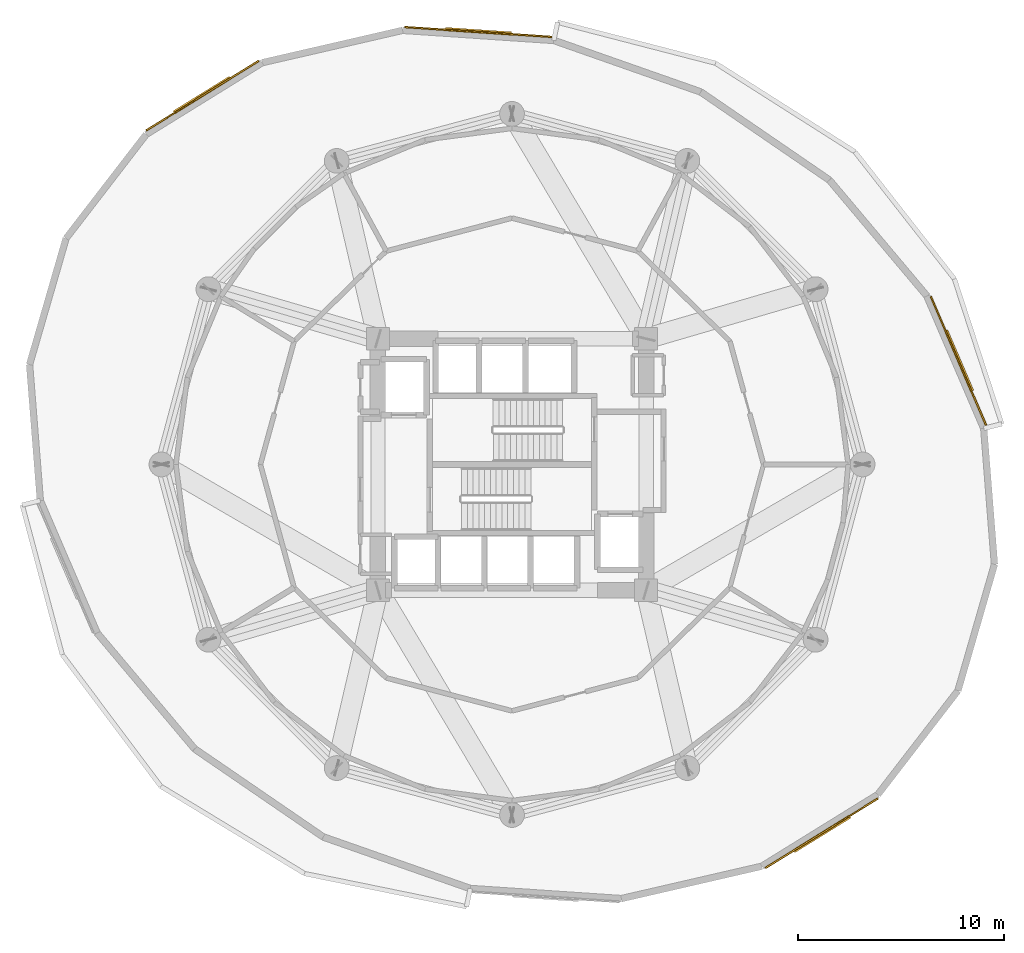
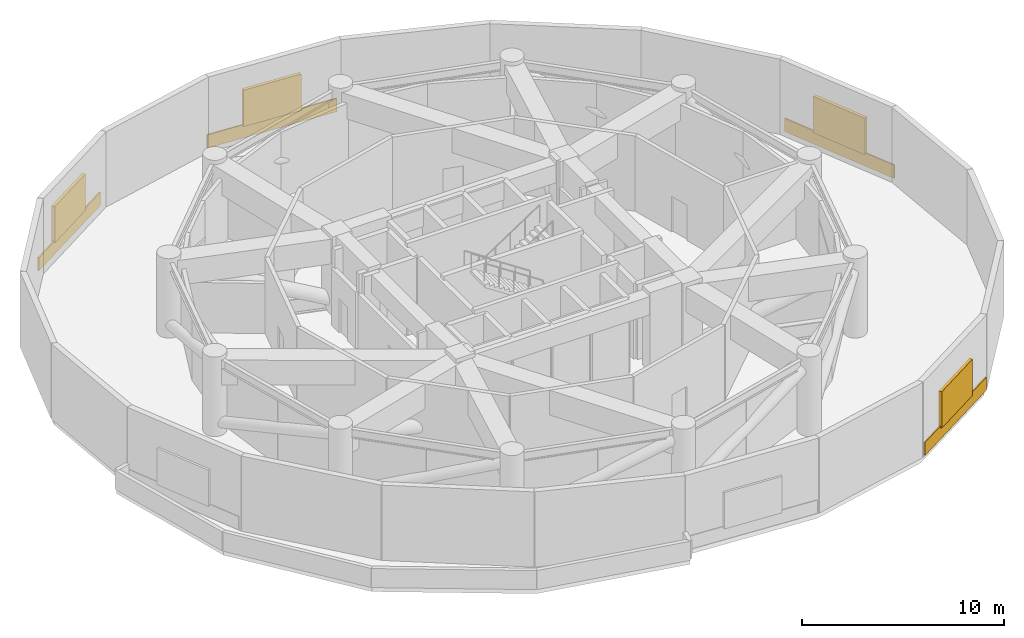
# One storey, part 6 of 6: 4 coverings, 4 shading devices.
"""IFC4 building model written with IfcOpenShell, lengths in metres."""

import ifcopenshell
import ifcopenshell.guid

model = None  # the IFC model being written
_history = None  # IfcOwnerHistory: only IFC2X3 demands one
_inside = {}  # id of a spatial element -> (the spatial element, [elements in it])
_under = {}  # id of a project, library or spatial element -> (it, [spatial elements below it])
_declared = {}  # id of a project -> (the project, [libraries it declares])
_typed = {}  # id of a type object -> (the type object, [elements of that type])
_made_of = {}  # id of a material, layer set ... -> (it, [elements and type objects made of it])


def new_model(schema):
    """Start an empty IFC model of exactly this schema.

    Asked for "IFC4X3", IfcOpenShell would pick the latest addendum, in which some entities
    have other attributes; the version numbers below select the first issue.
    IFC2X3 requires an IfcOwnerHistory on every rooted entity: one is made here for all.
    """
    global model, _history
    if schema == "IFC4X3":
        model = ifcopenshell.file(schema_version=(4, 3, 0, 0))
    else:
        model = ifcopenshell.file(schema=schema)
    _inside.clear()
    _under.clear()
    _declared.clear()
    _typed.clear()
    _made_of.clear()
    _history = None
    if model.schema == "IFC2X3":
        org = make("IfcOrganization", Name="unknown")
        user = make(
            "IfcPersonAndOrganization",
            ThePerson=make("IfcPerson", FamilyName="unknown"),
            TheOrganization=org,
        )
        app = make(
            "IfcApplication",
            ApplicationDeveloper=org,
            Version="unknown",
            ApplicationFullName="unknown",
            ApplicationIdentifier="unknown",
        )
        _history = make(
            "IfcOwnerHistory",
            OwningUser=user,
            OwningApplication=app,
            ChangeAction="ADDED",
            CreationDate=0,
        )
    return model


def make(cls, **values):
    """One entity of the class cls with the attributes given. An attribute that is None is left unset."""
    return model.create_entity(
        cls, **{name: value for name, value in values.items() if value is not None}
    )


def rooted(cls, **values):
    """An entity with a GlobalId (a new one), such as an element, a storey or a relation."""
    return make(cls, GlobalId=ifcopenshell.guid.new(), OwnerHistory=_history, **values)


def si_unit(unit_type, name, prefix=None):
    """IfcSIUnit, for example si_unit("LENGTHUNIT", "METRE", prefix="MILLI")."""
    return make("IfcSIUnit", UnitType=unit_type, Prefix=prefix, Name=name)


def assignment(units):
    """IfcUnitAssignment: the units of a project."""
    return None if units is None else make("IfcUnitAssignment", Units=units)


def point(xyz):
    """IfcCartesianPoint."""
    return None if xyz is None else make("IfcCartesianPoint", Coordinates=xyz)


def direction(xyz):
    """IfcDirection."""
    return None if xyz is None else make("IfcDirection", DirectionRatios=xyz)


def frame(location, z_axis=None, x_axis=None):
    """IfcAxis2Placement3D, a coordinate frame: its origin and axes. An axis left out is left unset."""
    return make(
        "IfcAxis2Placement3D",
        Location=point(location),
        Axis=direction(z_axis),
        RefDirection=direction(x_axis),
    )


def frame_2d(location, x_axis=None):
    """IfcAxis2Placement2D, a coordinate frame in the plane: its origin and x axis."""
    return make(
        "IfcAxis2Placement2D", Location=point(location), RefDirection=direction(x_axis)
    )


def origin():
    """The frame at (0, 0, 0) with its axes left unset."""
    return frame((0.0, 0.0, 0.0))


def origin_2d():
    """The frame at (0, 0) in the plane with its x axis left unset."""
    return frame_2d((0.0, 0.0))


def place(relative_to, where):
    """IfcLocalPlacement: puts the frame where relative to a parent placement (None: the world)."""
    return make(
        "IfcLocalPlacement", PlacementRelTo=relative_to, RelativePlacement=where
    )


def context(
    kind, dimensions, precision=None, world=None, true_north=None, identifier=None
):
    """IfcGeometricRepresentationContext, for example the 3D "Model" context."""
    return make(
        "IfcGeometricRepresentationContext",
        ContextIdentifier=identifier,
        ContextType=kind,
        CoordinateSpaceDimension=dimensions,
        Precision=precision,
        WorldCoordinateSystem=world,
        TrueNorth=true_north,
    )


def subcontext(parent, identifier, kind, view, scale=None):
    """IfcGeometricRepresentationSubContext, for example "Body" below "Model"."""
    return make(
        "IfcGeometricRepresentationSubContext",
        ContextIdentifier=identifier,
        ContextType=kind,
        ParentContext=parent,
        TargetScale=scale,
        TargetView=view,
    )


def project(units=None, contexts=None):
    """IfcProject with its units and contexts."""
    return rooted(
        "IfcProject",
        Name="project",
        RepresentationContexts=contexts,
        UnitsInContext=assignment(units),
    )


def spatial(cls, under=None, at=None, **own):
    """A site, building, storey or space (cls), placed at a placement, below another one or the project."""
    s = rooted(cls, ObjectPlacement=at, **own)
    if under is not None:
        _under.setdefault(under.id(), (under, []))[1].append(s)
    return s


def profile(cls, at=None, kind="AREA", **sizes):
    """A parametric profile (cls). Its sizes go by their IFC names, for example OverallWidth=200.0."""
    return make(cls, ProfileType=kind, Position=at, **sizes)


def rectangle(**sizes):
    """IfcRectangleProfileDef."""
    return profile("IfcRectangleProfileDef", **sizes)


def extrude(swept, where, along, depth):
    """IfcExtrudedAreaSolid: the profile swept, set in the frame where, extruded along a direction by depth."""
    return make(
        "IfcExtrudedAreaSolid",
        SweptArea=swept,
        Position=where,
        ExtrudedDirection=direction(along),
        Depth=depth,
    )


def shape(context_of_items, identifier, shape_type, items):
    """IfcShapeRepresentation: the items that make up one representation, for example the "Body"."""
    return make(
        "IfcShapeRepresentation",
        ContextOfItems=context_of_items,
        RepresentationIdentifier=identifier,
        RepresentationType=shape_type,
        Items=items,
    )


def material(Name=None, Category=None):
    """IfcMaterial."""
    return make("IfcMaterial", Name=Name, Category=Category)


def layer(
    of_material, thickness, ventilated=None, Name=None, Category=None, Priority=None
):
    """IfcMaterialLayer: one layer of a wall or slab, of a material (None: an air gap)."""
    return make(
        "IfcMaterialLayer",
        Material=of_material,
        LayerThickness=thickness,
        IsVentilated=ventilated,
        Name=Name,
        Category=Category,
        Priority=Priority,
    )


def layer_set(layers, Name=None):
    """IfcMaterialLayerSet."""
    return make("IfcMaterialLayerSet", MaterialLayers=layers, LayerSetName=Name)


def made_of(thing, what):
    """Note that an element or type object is made of a material, layer set ...; save() writes the relation."""
    if what is not None:
        _made_of.setdefault(what.id(), (what, []))[1].append(thing)
    return thing


def type_object(cls, material=None, **own):
    """A type object (cls), such as IfcWallType, which elements share."""
    return made_of(rooted(cls, **own), material)


def element(
    cls,
    number,
    at=None,
    inside=None,
    cuts=None,
    type_object=None,
    material=None,
    context=None,
    identifier="Body",
    shape_type=None,
    held_by="IfcProductDefinitionShape",
    body=None,
    shapes=None,
    **own,
):
    """One element of the class cls, such as IfcWall. Its Tag is "e" and its number.

    at: its placement. inside: the storey or other place that contains it. cuts: it is an
    opening in that element (IfcRelVoidsElement). A single representation is given by context,
    identifier, shape_type and body (its items); several are given by shapes. held_by: the class
    of the entity that holds the representations. save() writes the other relations.
    """
    e = rooted(cls, Tag="e%d" % number, ObjectPlacement=at, **own)
    if body is not None:
        shapes = [shape(context, identifier, shape_type, body)]
    if shapes is not None:
        e.Representation = make(held_by, Representations=shapes)
    if inside is not None:
        _inside.setdefault(inside.id(), (inside, []))[1].append(e)
    if cuts is not None:
        rooted(
            "IfcRelVoidsElement", RelatingBuildingElement=cuts, RelatedOpeningElement=e
        )
    if type_object is not None:
        _typed.setdefault(type_object.id(), (type_object, []))[1].append(e)
    return made_of(e, material)


def aggregate(whole, parts):
    """IfcRelAggregates: a whole, such as a stair, and the parts it consists of."""
    return rooted("IfcRelAggregates", RelatingObject=whole, RelatedObjects=parts)


def save(model, path):
    """Write the relations noted so far, then the file.

    IfcRelAggregates (storeys below a building ...), IfcRelContainedInSpatialStructure (elements
    in a storey), IfcRelDefinesByType, IfcRelAssociatesMaterial and IfcRelDeclares: one each for
    every whole, place, type object, material and project.
    """
    for whole, parts in _under.values():
        aggregate(whole, parts)
    for where, things in _inside.values():
        rooted(
            "IfcRelContainedInSpatialStructure",
            RelatedElements=things,
            RelatingStructure=where,
        )
    for kind, things in _typed.values():
        rooted("IfcRelDefinesByType", RelatedObjects=things, RelatingType=kind)
    for what, things in _made_of.values():
        rooted("IfcRelAssociatesMaterial", RelatedObjects=things, RelatingMaterial=what)
    for by, libraries in _declared.values():
        rooted("IfcRelDeclares", RelatingContext=by, RelatedDefinitions=libraries)
    model.write(path)


model = new_model("IFC4")

# Units and contexts
model_context = context("Model", 3, precision=1e-05, world=origin(), true_north=direction((0.0, 1.0)))
body_context = subcontext(model_context, "Body", "Model", "MODEL_VIEW")
ifc_project = project(units=[si_unit("LENGTHUNIT", "METRE"), si_unit("AREAUNIT", "SQUARE_METRE"), si_unit("VOLUMEUNIT", "CUBIC_METRE"), si_unit("PLANEANGLEUNIT", "RADIAN"), si_unit("MASSUNIT", "GRAM", prefix="KILO")], contexts=[model_context])

# Site, building, storey
site_placement = place(None, origin())
site = spatial("IfcSite", under=ifc_project, at=site_placement, CompositionType="ELEMENT")
building_placement = place(site_placement, origin())
building = spatial("IfcBuilding", under=site, at=building_placement, Name="Solvirekh Grand Hotel", CompositionType="ELEMENT")
storey_placement = place(building_placement, frame((0.0, 0.0, 93.199951171875)))
storey = spatial("IfcBuildingStorey", under=building, at=storey_placement, Name="L23", CompositionType="ELEMENT", Elevation=93.199951171875)

# Coverings
ifc_material = material(Name="Anodized Bronze Aluminium 6063-T6", Category="aluminium")
ifc_layer_1 = layer(ifc_material, 0.0400390625)
ifc_layer_set_1 = layer_set([ifc_layer_1], Name="Anodized Bronze Aluminium 6063-T6")
covering_type = type_object("IfcCoveringType", Name="Cov_Cladding_Bronze", PredefinedType="CLADDING", material=ifc_layer_set_1)
covering_1_placement = place(storey_placement, frame((21.64794921875, 5.02099609375, 0.0498046875), z_axis=(0.0, 0.0, 1.0), x_axis=(0.394743856384, -0.918791210149, 0.0)))
element("IfcCovering", 1, at=covering_1_placement, inside=storey, type_object=covering_type, Name="L23 bronze spandrel cladding band 3", PredefinedType="CLADDING", context=body_context, shape_type="SweptSolid", body=[
    extrude(rectangle(XDim=6.7890625, YDim=0.080078125, at=origin_2d()), origin(), (0.0, 0.0, 1.0), 0.800048828125),
])
covering_2_placement = place(storey_placement, frame((-1.631103515625, 20.970947265625, 0.0498046875), z_axis=(0.0, 0.0, 1.0), x_axis=(0.997766630584, -0.066796338919, 0.0)))
element("IfcCovering", 2, at=covering_2_placement, inside=storey, type_object=covering_type, Name="L23 bronze spandrel cladding band 7", PredefinedType="CLADDING", context=body_context, shape_type="SweptSolid", body=[
    extrude(rectangle(XDim=7.14599609375, YDim=0.080078125, at=origin_2d()), origin(), (0.0, 0.0, 1.0), 0.800048828125),
])
for number, where, z_axis, x_axis, name in (
    (3, (-15.013916015625, 17.884033203125, 0.0498046875), (0.0, 0.0, 1.0), (0.850535856496, 0.525917062677, 0.0), "L23 bronze spandrel cladding band 9"),
    (4, (15.013916015625, -17.884033203125, 0.0498046875), (0.0, 0.0, 1.0), (-0.850535856496, -0.525917062677, 0.0), "L23 bronze spandrel cladding band 19"),
):
    element("IfcCovering", number, at=place(storey_placement, frame(where, z_axis=z_axis, x_axis=x_axis)), inside=storey, type_object=covering_type, Name=name, PredefinedType="CLADDING", context=body_context, shape_type="SweptSolid", body=[
        extrude(rectangle(XDim=6.4130859375, YDim=0.080078125, at=origin_2d()), origin(), (0.0, 0.0, 1.0), 0.800048828125),
    ])

# Shading devices
ifc_layer_2 = layer(ifc_material, 0.1201171875)
ifc_layer_set_2 = layer_set([ifc_layer_2], Name="Anodized Bronze Aluminium 6063-T6")
shading_device_type = type_object("IfcShadingDeviceType", Name="Shade_PlantLouvre", PredefinedType="JALOUSIE", material=ifc_layer_set_2)
for number, where, z_axis, x_axis, name in (
    (5, (21.675048828125, 5.032958984375, 0.75), (0.0, 0.0, 1.0), (0.394743856384, -0.918791210149, 0.0), "L23 anodized bronze plant intake louvre 3"),
    (6, (-1.62890625, 21.0009765625, 0.75), (0.0, 0.0, 1.0), (0.997766630584, -0.066796338919, 0.0), "L23 anodized bronze plant intake louvre 7"),
    (7, (-15.030029296875, 17.909912109375, 0.75), (0.0, 0.0, 1.0), (0.850535856496, 0.525917062677, 0.0), "L23 anodized bronze plant intake louvre 9"),
    (8, (15.030029296875, -17.909912109375, 0.75), (0.0, 0.0, 1.0), (-0.850535856496, -0.525917062677, 0.0), "L23 anodized bronze plant intake louvre 19"),
):
    element("IfcShadingDevice", number, at=place(storey_placement, frame(where, z_axis=z_axis, x_axis=x_axis)), inside=storey, type_object=shading_device_type, Name=name, PredefinedType="JALOUSIE", context=body_context, shape_type="SweptSolid", body=[
        extrude(rectangle(XDim=3.199951171875, YDim=0.179931640625, at=origin_2d()), origin(), (0.0, 0.0, 1.0), 2.199951171875),
    ])

save(model, "model.ifc")
